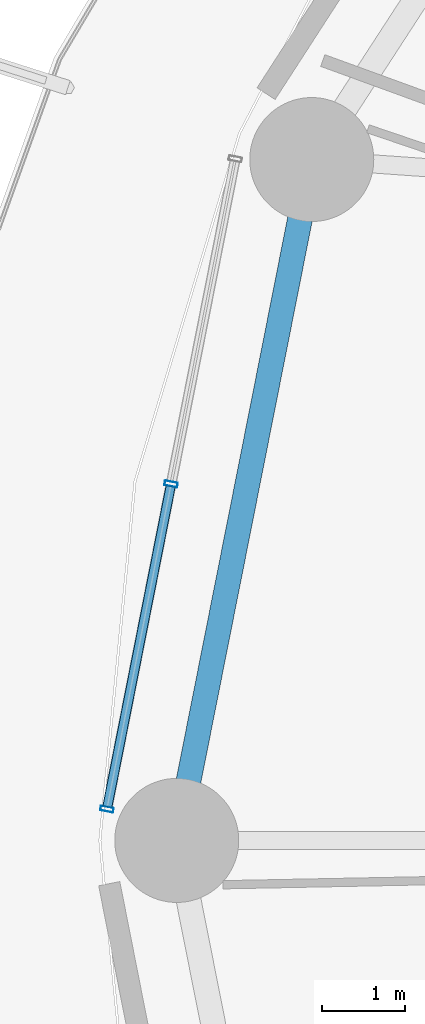
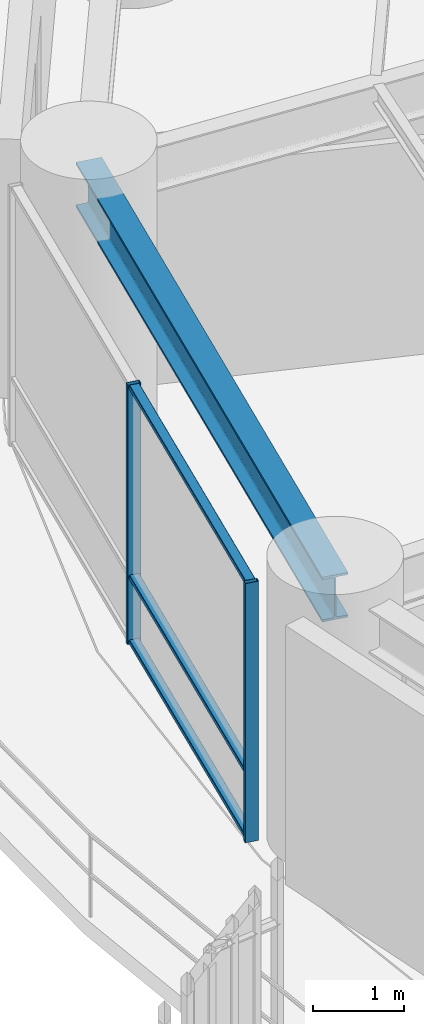
# One storey, part 6 of 33: 5 members, 1 beam, 1 element without a shape of its own.
"""IFC4 building model written with IfcOpenShell, lengths in metres."""

from ifc_helpers import new_model, si_unit, direction, frame, origin, origin_2d, place, context, subcontext, project, spatial, hollow_rectangle, i_section, extrude, material, layer, layer_set, material_profile, profile_set, type_object, element, aggregate, save


model = new_model("IFC4")

# Units and contexts
model_context = context("Model", 3, precision=1e-05, world=origin(), true_north=direction((0.0, 1.0)))
body_context = subcontext(model_context, "Body", "Model", "MODEL_VIEW")
ifc_project = project(units=[si_unit("LENGTHUNIT", "METRE"), si_unit("AREAUNIT", "SQUARE_METRE"), si_unit("VOLUMEUNIT", "CUBIC_METRE"), si_unit("PLANEANGLEUNIT", "RADIAN"), si_unit("MASSUNIT", "GRAM", prefix="KILO")], contexts=[model_context])

# Site, building, storey
site_placement = place(None, origin())
site = spatial("IfcSite", under=ifc_project, at=site_placement, CompositionType="ELEMENT")
building_placement = place(site_placement, origin())
building = spatial("IfcBuilding", under=site, at=building_placement, Name="Kelanora Arch Commons", CompositionType="ELEMENT")
storey_placement = place(building_placement, frame((0.0, 0.0, 41.25)))
storey = spatial("IfcBuildingStorey", under=building, at=storey_placement, Name="L10", CompositionType="ELEMENT", Elevation=41.25)

# Beam
ifc_material_1 = material(Name="Steel S355", Category="steel")
ifc_material_profile_1 = material_profile(ifc_material_1, i_section(OverallWidth=0.300048828125, OverallDepth=0.60009765625, WebThickness=0.015380859375, FlangeThickness=0.030029296875, FilletRadius=0.027099609375, at=origin_2d()), Name="HEB600")
ifc_profile_set_1 = profile_set([ifc_material_profile_1], Name="Steel S355")
beam_type = type_object("IfcBeamType", Name="BM-SPN-Z1", PredefinedType="SPANDREL", material=ifc_profile_set_1)
beam_placement = place(storey_placement, frame((48.552978515625, 66.23583984375, 3.18994140625), z_axis=(-0.194499827256, -0.980902552345, 0.0), x_axis=(0.980902552345, -0.194499827256, 0.0)))
element("IfcBeam", 1, at=beam_placement, inside=storey, type_object=beam_type, Name="Perimeter Spandrel Beam BS-16 L10", PredefinedType="SPANDREL", context=body_context, shape_type="SweptSolid", body=[
    extrude(i_section(OverallWidth=0.300048828125, OverallDepth=0.60009765625, WebThickness=0.015380859375, FlangeThickness=0.030029296875, FilletRadius=0.027099609375, at=origin_2d()), origin(), (0.0, 0.0, 1.0), 8.396240234375),
])

# Curtain wall, members
ifc_material_2 = material(Name="Terracotta ceramic-fritted low-E glass and aluminium", Category="masonry")
ifc_layer = layer(ifc_material_2, 0.159912109375)
ifc_layer_set = layer_set([ifc_layer], Name="Terracotta ceramic-fritted low-E glass and aluminium")
curtain_wall_type = type_object("IfcCurtainWallType", Name="CW-SYS-01", PredefinedType="NOTDEFINED", material=ifc_layer_set)
curtain_wall_placement = place(storey_placement, origin())
curtain_wall = element("IfcCurtainWall", 2, at=curtain_wall_placement, inside=storey, type_object=curtain_wall_type, Name="Unitised Curtain Wall L10-B08", PredefinedType="NOTDEFINED")
ifc_material_3 = material(Name="Powder-coated aluminium terracotta", Category="masonry")
ifc_material_profile_2 = material_profile(ifc_material_3, hollow_rectangle(XDim=0.159912109375, YDim=0.06005859375, WallThickness=0.0048828125, InnerFilletRadius=0.0048828125, OuterFilletRadius=0.010009765625, at=origin_2d()), Name="CWM160x60")
ifc_profile_set_2 = profile_set([ifc_material_profile_2], Name="Powder-coated aluminium terracotta")
member_type_1 = type_object("IfcMemberType", Name="CWM-STD", PredefinedType="MULLION", material=ifc_profile_set_2)
member_1_placement = place(storey_placement, frame((46.8515625, 62.3115234375, 0.0), z_axis=(0.0, 0.0, 1.0), x_axis=(0.981052110579, -0.193744048498, 0.0)))
member_1 = element("IfcMember", 3, at=member_1_placement, type_object=member_type_1, Name="CW-01 mullion 2", PredefinedType="MULLION", context=body_context, shape_type="SweptSolid", body=[
    extrude(hollow_rectangle(XDim=0.159912109375, YDim=0.06005859375, WallThickness=0.0048828125, InnerFilletRadius=0.0048828125, OuterFilletRadius=0.010009765625, at=origin_2d()), origin(), (0.0, 0.0, 1.0), 3.47509765625),
])
member_2_placement = place(storey_placement, frame((46.074951171875, 58.379150390625, 0.0), z_axis=(0.0, 0.0, 1.0), x_axis=(0.981052110579, -0.193744048498, 0.0)))
member_2 = element("IfcMember", 4, at=member_2_placement, type_object=member_type_1, Name="CW-01 mullion 3", PredefinedType="MULLION", context=body_context, shape_type="SweptSolid", body=[
    extrude(hollow_rectangle(XDim=0.159912109375, YDim=0.06005859375, WallThickness=0.0048828125, InnerFilletRadius=0.0048828125, OuterFilletRadius=0.010009765625, at=origin_2d()), origin(), (0.0, 0.0, 1.0), 3.47509765625),
])
ifc_material_profile_3 = material_profile(ifc_material_3, hollow_rectangle(XDim=0.1201171875, YDim=0.06005859375, WallThickness=0.0048828125, InnerFilletRadius=0.0048828125, OuterFilletRadius=0.010009765625, at=origin_2d()), Name="CWT120x60")
ifc_profile_set_3 = profile_set([ifc_material_profile_3], Name="Powder-coated aluminium terracotta")
member_type_2 = type_object("IfcMemberType", Name="CWT-STD", PredefinedType="USERDEFINED", material=ifc_profile_set_3)
member_3_placement = place(storey_placement, frame((46.845703125, 62.281982421875, 0.030029296875), z_axis=(-0.193725436624, -0.98105578598, 0.0), x_axis=(0.98105578598, -0.193725436624, 0.0)))
member_3 = element("IfcMember", 5, at=member_3_placement, type_object=member_type_2, Name="CW-01 transom 2.1", ObjectType="TRANSOM", PredefinedType="USERDEFINED", context=body_context, shape_type="SweptSolid", body=[
    extrude(hollow_rectangle(XDim=0.1201171875, YDim=0.06005859375, WallThickness=0.0048828125, InnerFilletRadius=0.0048828125, OuterFilletRadius=0.010009765625, at=origin_2d()), origin(), (0.0, 0.0, 1.0), 3.9482421875),
])
member_4_placement = place(storey_placement, frame((46.845703125, 62.281982421875, 0.89990234375), z_axis=(-0.193725436624, -0.98105578598, 0.0), x_axis=(0.98105578598, -0.193725436624, 0.0)))
member_4 = element("IfcMember", 6, at=member_4_placement, type_object=member_type_2, Name="CW-01 transom 2.2", ObjectType="TRANSOM", PredefinedType="USERDEFINED", context=body_context, shape_type="SweptSolid", body=[
    extrude(hollow_rectangle(XDim=0.1201171875, YDim=0.06005859375, WallThickness=0.0048828125, InnerFilletRadius=0.0048828125, OuterFilletRadius=0.010009765625, at=origin_2d()), origin(), (0.0, 0.0, 1.0), 3.9482421875),
])
member_5_placement = place(storey_placement, frame((46.845703125, 62.281982421875, 3.445068359375), z_axis=(-0.193725436624, -0.98105578598, 0.0), x_axis=(0.98105578598, -0.193725436624, 0.0)))
member_5 = element("IfcMember", 7, at=member_5_placement, type_object=member_type_2, Name="CW-01 transom 2.3", ObjectType="TRANSOM", PredefinedType="USERDEFINED", context=body_context, shape_type="SweptSolid", body=[
    extrude(hollow_rectangle(XDim=0.1201171875, YDim=0.06005859375, WallThickness=0.0048828125, InnerFilletRadius=0.0048828125, OuterFilletRadius=0.010009765625, at=origin_2d()), origin(), (0.0, 0.0, 1.0), 3.9482421875),
])
aggregate(curtain_wall, [member_1, member_2, member_3, member_4, member_5])

save(model, "model.ifc")
